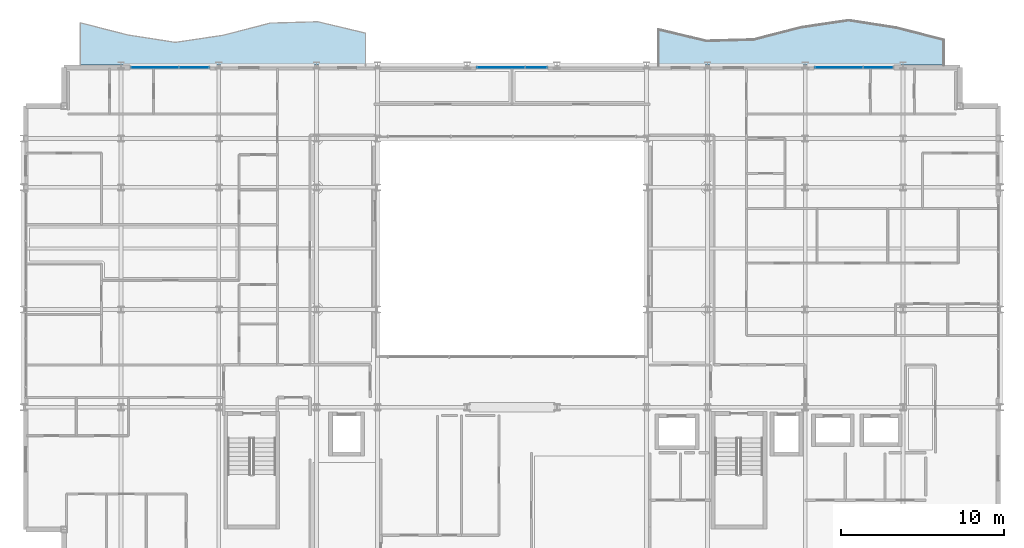
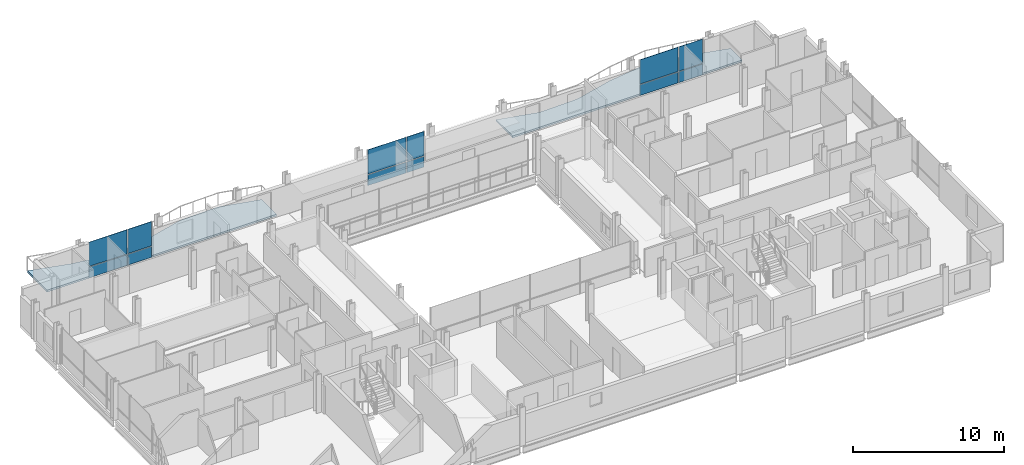
# One storey, part 31 of 41: 12 plates, 2 slabs, 3 elements without a shape of their own.
"""IFC4 building model written with IfcOpenShell, lengths in metres."""

from ifc_helpers import new_model, si_unit, direction, frame, origin, origin_2d, place, context, subcontext, project, spatial, polyline, rectangle, outline, extrude, material, layer, layer_set, type_object, element, aggregate, save


model = new_model("IFC4")

# Units and contexts
model_context = context("Model", 3, precision=1e-05, world=origin(), true_north=direction((0.0, 1.0)))
body_context = subcontext(model_context, "Body", "Model", "MODEL_VIEW")
ifc_project = project(units=[si_unit("LENGTHUNIT", "METRE"), si_unit("AREAUNIT", "SQUARE_METRE"), si_unit("VOLUMEUNIT", "CUBIC_METRE"), si_unit("PLANEANGLEUNIT", "RADIAN"), si_unit("MASSUNIT", "GRAM", prefix="KILO")], contexts=[model_context])

# Site, building, storey
site_placement = place(None, origin())
site = spatial("IfcSite", under=ifc_project, at=site_placement, CompositionType="ELEMENT")
building_placement = place(site_placement, origin())
building = spatial("IfcBuilding", under=site, at=building_placement, Name="Brevholm Reach", CompositionType="ELEMENT")
storey_placement = place(building_placement, frame((0.0, 0.0, 157.300048828125)))
storey = spatial("IfcBuildingStorey", under=building, at=storey_placement, Name="L47", CompositionType="ELEMENT", Elevation=157.300048828125)

# Curtain wall, plates
ifc_material_1 = material(Name="Dark Anodised Aluminium 6063-T6 and Solar-Control Glass", Category="aluminium")
ifc_layer_1 = layer(ifc_material_1, 0.14990234375)
ifc_layer_set_1 = layer_set([ifc_layer_1], Name="Dark Anodised Aluminium 6063-T6 and Solar-Control Glass")
curtain_wall_type = type_object("IfcCurtainWallType", Name="CW-01", PredefinedType="NOTDEFINED", material=ifc_layer_set_1)
curtain_wall_1_placement = place(storey_placement, origin())
curtain_wall_1 = element("IfcCurtainWall", 1, at=curtain_wall_1_placement, inside=storey, type_object=curtain_wall_type, Name="L47 Curtain Wall CW-01", PredefinedType="NOTDEFINED")
ifc_material_2 = material(Name="Dark Solar-Control Double-Glazed IGU Glass", Category="glass")
ifc_layer_2 = layer(ifc_material_2, 0.028076171875)
ifc_layer_set_2 = layer_set([ifc_layer_2], Name="Dark Solar-Control Double-Glazed IGU Glass")
plate_type = type_object("IfcPlateType", Name="CWP-GLZ-28", PredefinedType="CURTAIN_PANEL", material=ifc_layer_set_2)
plate_1_placement = place(storey_placement, frame((8.066162109375, 30.85009765625, 0.0), z_axis=(0.0, 0.0, 1.0), x_axis=(1.0, 0.0, 0.0)))
plate_1 = element("IfcPlate", 2, at=plate_1_placement, type_object=plate_type, Name="CP-01 Glazing Panel 1.1", PredefinedType="CURTAIN_PANEL", context=body_context, shape_type="SweptSolid", body=[
    extrude(rectangle(XDim=2.902587890625, YDim=0.028076171875, at=origin_2d()), origin(), (0.0, 0.0, 1.0), 0.867431640625),
])
plate_2_placement = place(storey_placement, frame((8.066162109375, 30.85009765625, 0.9326171875), z_axis=(0.0, 0.0, 1.0), x_axis=(1.0, 0.0, 0.0)))
plate_2 = element("IfcPlate", 3, at=plate_2_placement, type_object=plate_type, Name="CP-01 Glazing Panel 1.2", PredefinedType="CURTAIN_PANEL", context=body_context, shape_type="SweptSolid", body=[
    extrude(rectangle(XDim=2.902587890625, YDim=0.028076171875, at=origin_2d()), origin(), (0.0, 0.0, 1.0), 1.947509765625),
])
plate_3_placement = place(storey_placement, frame((10.483642578125, 30.85009765625, 0.0), z_axis=(0.0, 0.0, 1.0), x_axis=(1.0, 0.0, 0.0)))
plate_3 = element("IfcPlate", 4, at=plate_3_placement, type_object=plate_type, Name="CP-01 Glazing Panel 2.1", PredefinedType="CURTAIN_PANEL", context=body_context, shape_type="SweptSolid", body=[
    extrude(rectangle(XDim=1.802490234375, YDim=0.028076171875, at=origin_2d()), origin(), (0.0, 0.0, 1.0), 0.867431640625),
])
plate_4_placement = place(storey_placement, frame((10.483642578125, 30.85009765625, 0.9326171875), z_axis=(0.0, 0.0, 1.0), x_axis=(1.0, 0.0, 0.0)))
plate_4 = element("IfcPlate", 5, at=plate_4_placement, type_object=plate_type, Name="CP-01 Glazing Panel 2.2", PredefinedType="CURTAIN_PANEL", context=body_context, shape_type="SweptSolid", body=[
    extrude(rectangle(XDim=1.802490234375, YDim=0.028076171875, at=origin_2d()), origin(), (0.0, 0.0, 1.0), 1.947509765625),
])
aggregate(curtain_wall_1, [plate_1, plate_2, plate_3, plate_4])

curtain_wall_2_placement = place(storey_placement, origin())
curtain_wall_2 = element("IfcCurtainWall", 6, at=curtain_wall_2_placement, inside=storey, type_object=curtain_wall_type, Name="L47 Curtain Wall CW-01", PredefinedType="NOTDEFINED")
plate_5_placement = place(storey_placement, frame((29.316162109375, 30.85009765625, 0.0), z_axis=(0.0, 0.0, 1.0), x_axis=(1.0, 0.0, 0.0)))
plate_5 = element("IfcPlate", 7, at=plate_5_placement, type_object=plate_type, Name="CP-01 Glazing Panel 1.1", PredefinedType="CURTAIN_PANEL", context=body_context, shape_type="SweptSolid", body=[
    extrude(rectangle(XDim=2.902587890625, YDim=0.028076171875, at=origin_2d()), origin(), (0.0, 0.0, 1.0), 0.867431640625),
])
plate_6_placement = place(storey_placement, frame((29.316162109375, 30.85009765625, 0.9326171875), z_axis=(0.0, 0.0, 1.0), x_axis=(1.0, 0.0, 0.0)))
plate_6 = element("IfcPlate", 8, at=plate_6_placement, type_object=plate_type, Name="CP-01 Glazing Panel 1.2", PredefinedType="CURTAIN_PANEL", context=body_context, shape_type="SweptSolid", body=[
    extrude(rectangle(XDim=2.902587890625, YDim=0.028076171875, at=origin_2d()), origin(), (0.0, 0.0, 1.0), 1.947509765625),
])
plate_7_placement = place(storey_placement, frame((31.483642578125, 30.85009765625, 0.0), z_axis=(0.0, 0.0, 1.0), x_axis=(1.0, 0.0, 0.0)))
plate_7 = element("IfcPlate", 9, at=plate_7_placement, type_object=plate_type, Name="CP-01 Glazing Panel 2.1", PredefinedType="CURTAIN_PANEL", context=body_context, shape_type="SweptSolid", body=[
    extrude(rectangle(XDim=1.302490234375, YDim=0.028076171875, at=origin_2d()), origin(), (0.0, 0.0, 1.0), 0.867431640625),
])
plate_8_placement = place(storey_placement, frame((31.483642578125, 30.85009765625, 0.9326171875), z_axis=(0.0, 0.0, 1.0), x_axis=(1.0, 0.0, 0.0)))
plate_8 = element("IfcPlate", 10, at=plate_8_placement, type_object=plate_type, Name="CP-01 Glazing Panel 2.2", PredefinedType="CURTAIN_PANEL", context=body_context, shape_type="SweptSolid", body=[
    extrude(rectangle(XDim=1.302490234375, YDim=0.028076171875, at=origin_2d()), origin(), (0.0, 0.0, 1.0), 1.947509765625),
])
aggregate(curtain_wall_2, [plate_5, plate_6, plate_7, plate_8])

curtain_wall_3_placement = place(storey_placement, origin())
curtain_wall_3 = element("IfcCurtainWall", 11, at=curtain_wall_3_placement, inside=storey, type_object=curtain_wall_type, Name="L47 Curtain Wall CW-01", PredefinedType="NOTDEFINED")
plate_9_placement = place(storey_placement, frame((50.066162109375, 30.85009765625, 0.0), z_axis=(0.0, 0.0, 1.0), x_axis=(1.0, 0.0, 0.0)))
plate_9 = element("IfcPlate", 12, at=plate_9_placement, type_object=plate_type, Name="CP-01 Glazing Panel 1.1", PredefinedType="CURTAIN_PANEL", context=body_context, shape_type="SweptSolid", body=[
    extrude(rectangle(XDim=2.902587890625, YDim=0.028076171875, at=origin_2d()), origin(), (0.0, 0.0, 1.0), 0.867431640625),
])
plate_10_placement = place(storey_placement, frame((50.066162109375, 30.85009765625, 0.9326171875), z_axis=(0.0, 0.0, 1.0), x_axis=(1.0, 0.0, 0.0)))
plate_10 = element("IfcPlate", 13, at=plate_10_placement, type_object=plate_type, Name="CP-01 Glazing Panel 1.2", PredefinedType="CURTAIN_PANEL", context=body_context, shape_type="SweptSolid", body=[
    extrude(rectangle(XDim=2.902587890625, YDim=0.028076171875, at=origin_2d()), origin(), (0.0, 0.0, 1.0), 1.947509765625),
])
plate_11_placement = place(storey_placement, frame((52.483642578125, 30.85009765625, 0.0), z_axis=(0.0, 0.0, 1.0), x_axis=(1.0, 0.0, 0.0)))
plate_11 = element("IfcPlate", 14, at=plate_11_placement, type_object=plate_type, Name="CP-01 Glazing Panel 2.1", PredefinedType="CURTAIN_PANEL", context=body_context, shape_type="SweptSolid", body=[
    extrude(rectangle(XDim=1.802490234375, YDim=0.028076171875, at=origin_2d()), origin(), (0.0, 0.0, 1.0), 0.867431640625),
])
plate_12_placement = place(storey_placement, frame((52.483642578125, 30.85009765625, 0.9326171875), z_axis=(0.0, 0.0, 1.0), x_axis=(1.0, 0.0, 0.0)))
plate_12 = element("IfcPlate", 15, at=plate_12_placement, type_object=plate_type, Name="CP-01 Glazing Panel 2.2", PredefinedType="CURTAIN_PANEL", context=body_context, shape_type="SweptSolid", body=[
    extrude(rectangle(XDim=1.802490234375, YDim=0.028076171875, at=origin_2d()), origin(), (0.0, 0.0, 1.0), 1.947509765625),
])
aggregate(curtain_wall_3, [plate_9, plate_10, plate_11, plate_12])

# Slabs
ifc_material_3 = material(Name="Precast Concrete C45/55", Category="concrete")
ifc_layer_3 = layer(ifc_material_3, 0.14990234375)
ifc_layer_set_3 = layer_set([ifc_layer_3], Name="Precast Concrete C45/55")
slab_type = type_object("IfcSlabType", Name="SLB-BAL-150", PredefinedType="FLOOR", material=ifc_layer_set_3)
slab_1_placement = place(storey_placement, frame((0.0, 0.0, -0.150146484375)))
element("IfcSlab", 16, at=slab_1_placement, inside=storey, type_object=slab_type, Name="L47 Rippling External Balcony NE", PredefinedType="FLOOR", context=body_context, shape_type="SweptSolid", body=[
    extrude(outline(polyline([(39.0, 31.0), (56.5, 31.0), (56.5, 32.55029296875), (53.583251953125, 33.294921875), (50.666748046875, 33.75), (47.75, 33.31689453125), (44.833251953125, 32.565673828125), (41.916748046875, 32.484619140625), (39.0, 33.1806640625), (39.0, 31.0)])), origin(), (0.0, 0.0, 1.0), 0.150146484375),
])
slab_2_placement = place(storey_placement, frame((0.0, 0.0, -0.150146484375)))
element("IfcSlab", 17, at=slab_2_placement, inside=storey, type_object=slab_type, Name="L47 Rippling External Balcony NW", PredefinedType="FLOOR", context=body_context, shape_type="SweptSolid", body=[
    extrude(outline(polyline([(3.5, 31.0), (21.0, 31.0), (21.0, 32.969482421875), (18.083251953125, 33.665283203125), (15.166748046875, 33.58447265625), (12.25, 32.8330078125), (9.333251953125, 32.400146484375), (6.416748046875, 32.855224609375), (3.5, 33.599609375), (3.5, 31.0)])), origin(), (0.0, 0.0, 1.0), 0.150146484375),
])

save(model, "model.ifc")
